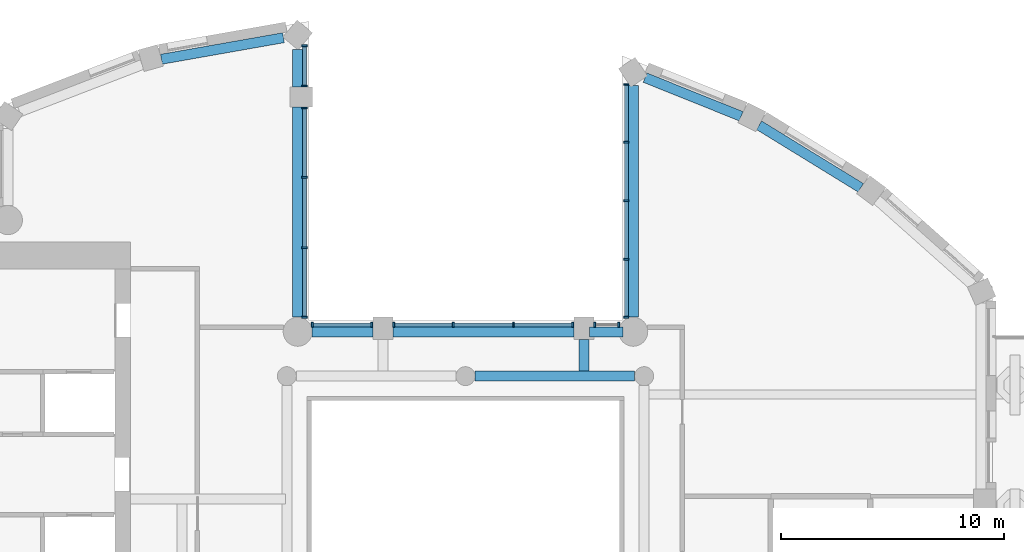
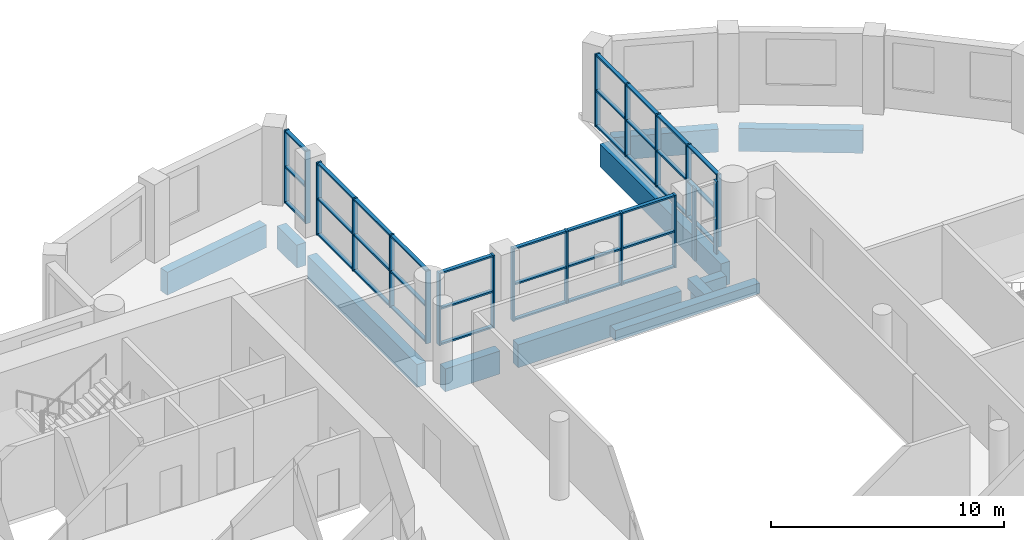
# One storey, part 2 of 14: 55 members, 11 beams, 6 elements without a shape of their own.
"""IFC4 building model written with IfcOpenShell, lengths in metres."""

from ifc_helpers import new_model, si_unit, direction, frame, origin, origin_2d, place, context, subcontext, project, spatial, rectangle, extrude, material, material_profile, profile_set, type_object, element, aggregate, save


model = new_model("IFC4")

# Units and contexts
model_context = context("Model", 3, precision=1e-05, world=origin(), true_north=direction((0.0, 1.0)))
body_context = subcontext(model_context, "Body", "Model", "MODEL_VIEW")
ifc_project = project(units=[si_unit("LENGTHUNIT", "METRE"), si_unit("AREAUNIT", "SQUARE_METRE"), si_unit("VOLUMEUNIT", "CUBIC_METRE"), si_unit("PLANEANGLEUNIT", "RADIAN"), si_unit("MASSUNIT", "GRAM", prefix="KILO")], contexts=[model_context])

# Site, building, storey
site_placement = place(None, origin())
site = spatial("IfcSite", under=ifc_project, at=site_placement, CompositionType="ELEMENT")
building_placement = place(site_placement, origin())
building = spatial("IfcBuilding", under=site, at=building_placement, Name="Cypress Arch Tower", CompositionType="ELEMENT")
storey_placement = place(building_placement, frame((0.0, 0.0, 268.0)))
storey = spatial("IfcBuildingStorey", under=building, at=storey_placement, Name="L60", CompositionType="ELEMENT", Elevation=268.0)

# Beams
ifc_material_1 = material(Name="Concrete C50/60", Category="concrete")
ifc_material_profile_1 = material_profile(ifc_material_1, rectangle(XDim=0.449951171875, YDim=0.550048828125, at=origin_2d()), Name="RC 450x550")
ifc_profile_set_1 = profile_set([ifc_material_profile_1], Name="Concrete C50/60")
beam_type_1 = type_object("IfcBeamType", Name="Floor beam RC 450x550 Concrete C50/60", PredefinedType="BEAM", material=ifc_profile_set_1)
beam_1_placement = place(storey_placement, frame((1.425048828125, 10.0, -0.574951171875), z_axis=(1.0, 0.0, 0.0), x_axis=(0.0, 1.0, 0.0)))
element("IfcBeam", 1, at=beam_1_placement, inside=storey, type_object=beam_type_1, Name="Floor beam L60 RB008", PredefinedType="BEAM", context=body_context, shape_type="SweptSolid", body=[
    extrude(rectangle(XDim=0.449951171875, YDim=0.550048828125, at=origin_2d()), origin(), (0.0, 0.0, 1.0), 7.14990234375),
])
beam_2_placement = place(storey_placement, frame((6.300048828125, 10.22509765625, -0.574951171875), z_axis=(0.0, 1.0, 0.0), x_axis=(-1.0, 0.0, 0.0)))
element("IfcBeam", 2, at=beam_2_placement, inside=storey, type_object=beam_type_1, Name="Floor beam L60 FB013", PredefinedType="BEAM", context=body_context, shape_type="SweptSolid", body=[
    extrude(rectangle(XDim=0.449951171875, YDim=0.550048828125, at=origin_2d()), origin(), (0.0, 0.0, 1.0), 1.4248046875),
])

# Curtain wall, members
ifc_material_2 = material(Name="Anodised aluminium, bronze finish, clear laminated double glazing", Category="aluminium")
curtain_wall_type = type_object("IfcCurtainWallType", Name="Curtain wall CW7 slot glazing", PredefinedType="NOTDEFINED", material=ifc_material_2)
curtain_wall_1_placement = place(storey_placement, origin())
curtain_wall_1 = element("IfcCurtainWall", 3, at=curtain_wall_1_placement, inside=storey, type_object=curtain_wall_type, Name="Curtain wall L60 slot C00.0", PredefinedType="NOTDEFINED")
ifc_material_3 = material(Name="Anodised aluminium, bronze finish", Category="aluminium")
ifc_material_profile_2 = material_profile(ifc_material_3, rectangle(XDim=0.239990234375, YDim=0.0849609375, at=origin_2d()), Name="Mullion 85x240")
ifc_profile_set_2 = profile_set([ifc_material_profile_2], Name="Anodised aluminium, bronze finish")
member_type_1 = type_object("IfcMemberType", Name="Mullion CW7 85x240", PredefinedType="MULLION", material=ifc_profile_set_2)
member_1_placement = place(storey_placement, frame((8.199951171875, 23.060302734375, 0.0), z_axis=(0.0, 0.0, 1.0), x_axis=(1.0, 0.0, 0.0)))
member_1 = element("IfcMember", 4, at=member_1_placement, type_object=member_type_1, Name="CW7 mullion 1", PredefinedType="MULLION", context=body_context, shape_type="SweptSolid", body=[
    extrude(rectangle(XDim=0.239990234375, YDim=0.0849609375, at=origin_2d()), origin(), (0.0, 0.0, 1.0), 3.800048828125),
])
member_2_placement = place(storey_placement, frame((8.199951171875, 20.477294921875, 0.0), z_axis=(0.0, 0.0, 1.0), x_axis=(1.0, 0.0, 0.0)))
member_2 = element("IfcMember", 5, at=member_2_placement, type_object=member_type_1, Name="CW7 mullion 2", PredefinedType="MULLION", context=body_context, shape_type="SweptSolid", body=[
    extrude(rectangle(XDim=0.239990234375, YDim=0.0849609375, at=origin_2d()), origin(), (0.0, 0.0, 1.0), 3.800048828125),
])
member_3_placement = place(storey_placement, frame((8.199951171875, 17.85205078125, 0.0), z_axis=(0.0, 0.0, 1.0), x_axis=(1.0, 0.0, 0.0)))
member_3 = element("IfcMember", 6, at=member_3_placement, type_object=member_type_1, Name="CW7 mullion 3", PredefinedType="MULLION", context=body_context, shape_type="SweptSolid", body=[
    extrude(rectangle(XDim=0.239990234375, YDim=0.0849609375, at=origin_2d()), origin(), (0.0, 0.0, 1.0), 3.800048828125),
])
member_4_placement = place(storey_placement, frame((8.199951171875, 15.226806640625, 0.0), z_axis=(0.0, 0.0, 1.0), x_axis=(1.0, 0.0, 0.0)))
member_4 = element("IfcMember", 7, at=member_4_placement, type_object=member_type_1, Name="CW7 mullion 4", PredefinedType="MULLION", context=body_context, shape_type="SweptSolid", body=[
    extrude(rectangle(XDim=0.239990234375, YDim=0.0849609375, at=origin_2d()), origin(), (0.0, 0.0, 1.0), 3.800048828125),
])
member_5_placement = place(storey_placement, frame((8.199951171875, 12.64404296875, 0.0), z_axis=(0.0, 0.0, 1.0), x_axis=(1.0, 0.0, 0.0)))
member_5 = element("IfcMember", 8, at=member_5_placement, type_object=member_type_1, Name="CW7 mullion 5", PredefinedType="MULLION", context=body_context, shape_type="SweptSolid", body=[
    extrude(rectangle(XDim=0.239990234375, YDim=0.0849609375, at=origin_2d()), origin(), (0.0, 0.0, 1.0), 3.800048828125),
])

curtain_wall_2_placement = place(storey_placement, origin())
curtain_wall_2 = element("IfcCurtainWall", 9, at=curtain_wall_2_placement, inside=storey, type_object=curtain_wall_type, Name="Curtain wall L60 slot C01.0", PredefinedType="NOTDEFINED")
member_6_placement = place(storey_placement, frame((7.85595703125, 12.300048828125, 0.0), z_axis=(0.0, 0.0, 1.0), x_axis=(0.0, -1.0, 0.0)))
member_6 = element("IfcMember", 10, at=member_6_placement, type_object=member_type_1, Name="CW7 mullion 1", PredefinedType="MULLION", context=body_context, shape_type="SweptSolid", body=[
    extrude(rectangle(XDim=0.239990234375, YDim=0.0849609375, at=origin_2d()), origin(), (0.0, 0.0, 1.0), 3.800048828125),
])
member_7_placement = place(storey_placement, frame((6.79248046875, 12.300048828125, 0.0), z_axis=(0.0, 0.0, 1.0), x_axis=(0.0, -1.0, 0.0)))
member_7 = element("IfcMember", 11, at=member_7_placement, type_object=member_type_1, Name="CW7 mullion 2", PredefinedType="MULLION", context=body_context, shape_type="SweptSolid", body=[
    extrude(rectangle(XDim=0.239990234375, YDim=0.0849609375, at=origin_2d()), origin(), (0.0, 0.0, 1.0), 3.800048828125),
])
aggregate(curtain_wall_2, [member_6, member_7])

curtain_wall_3_placement = place(storey_placement, origin())
curtain_wall_3 = element("IfcCurtainWall", 12, at=curtain_wall_3_placement, inside=storey, type_object=curtain_wall_type, Name="Curtain wall L60 slot C01.1", PredefinedType="NOTDEFINED")
member_8_placement = place(storey_placement, frame((5.8076171875, 12.300048828125, 0.0), z_axis=(0.0, 0.0, 1.0), x_axis=(0.0, -1.0, 0.0)))
member_8 = element("IfcMember", 13, at=member_8_placement, type_object=member_type_1, Name="CW7 mullion 1", PredefinedType="MULLION", context=body_context, shape_type="SweptSolid", body=[
    extrude(rectangle(XDim=0.239990234375, YDim=0.0849609375, at=origin_2d()), origin(), (0.0, 0.0, 1.0), 3.800048828125),
])
member_9_placement = place(storey_placement, frame((3.14990234375, 12.300048828125, 0.0), z_axis=(0.0, 0.0, 1.0), x_axis=(0.0, -1.0, 0.0)))
member_9 = element("IfcMember", 14, at=member_9_placement, type_object=member_type_1, Name="CW7 mullion 2", PredefinedType="MULLION", context=body_context, shape_type="SweptSolid", body=[
    extrude(rectangle(XDim=0.239990234375, YDim=0.0849609375, at=origin_2d()), origin(), (0.0, 0.0, 1.0), 3.800048828125),
])
member_10_placement = place(storey_placement, frame((0.449951171875, 12.300048828125, 0.0), z_axis=(0.0, 0.0, 1.0), x_axis=(0.0, -1.0, 0.0)))
member_10 = element("IfcMember", 15, at=member_10_placement, type_object=member_type_1, Name="CW7 mullion 3", PredefinedType="MULLION", context=body_context, shape_type="SweptSolid", body=[
    extrude(rectangle(XDim=0.239990234375, YDim=0.0849609375, at=origin_2d()), origin(), (0.0, 0.0, 1.0), 3.800048828125),
])
member_11_placement = place(storey_placement, frame((-2.20751953125, 12.300048828125, 0.0), z_axis=(0.0, 0.0, 1.0), x_axis=(0.0, -1.0, 0.0)))
member_11 = element("IfcMember", 16, at=member_11_placement, type_object=member_type_1, Name="CW7 mullion 4", PredefinedType="MULLION", context=body_context, shape_type="SweptSolid", body=[
    extrude(rectangle(XDim=0.239990234375, YDim=0.0849609375, at=origin_2d()), origin(), (0.0, 0.0, 1.0), 3.800048828125),
])

curtain_wall_4_placement = place(storey_placement, origin())
curtain_wall_4 = element("IfcCurtainWall", 17, at=curtain_wall_4_placement, inside=storey, type_object=curtain_wall_type, Name="Curtain wall L60 slot C01.2", PredefinedType="NOTDEFINED")
member_12_placement = place(storey_placement, frame((-3.1923828125, 12.300048828125, 0.0), z_axis=(0.0, 0.0, 1.0), x_axis=(0.0, -1.0, 0.0)))
member_12 = element("IfcMember", 18, at=member_12_placement, type_object=member_type_1, Name="CW7 mullion 1", PredefinedType="MULLION", context=body_context, shape_type="SweptSolid", body=[
    extrude(rectangle(XDim=0.239990234375, YDim=0.0849609375, at=origin_2d()), origin(), (0.0, 0.0, 1.0), 3.800048828125),
])
member_13_placement = place(storey_placement, frame((-5.85595703125, 12.300048828125, 0.0), z_axis=(0.0, 0.0, 1.0), x_axis=(0.0, -1.0, 0.0)))
member_13 = element("IfcMember", 19, at=member_13_placement, type_object=member_type_1, Name="CW7 mullion 2", PredefinedType="MULLION", context=body_context, shape_type="SweptSolid", body=[
    extrude(rectangle(XDim=0.239990234375, YDim=0.0849609375, at=origin_2d()), origin(), (0.0, 0.0, 1.0), 3.800048828125),
])

curtain_wall_5_placement = place(storey_placement, origin())
curtain_wall_5 = element("IfcCurtainWall", 20, at=curtain_wall_5_placement, inside=storey, type_object=curtain_wall_type, Name="Curtain wall L60 slot C02.0", PredefinedType="NOTDEFINED")
member_14_placement = place(storey_placement, frame((-6.199951171875, 12.64404296875, 0.0), z_axis=(0.0, 0.0, 1.0), x_axis=(-1.0, 0.0, 0.0)))
member_14 = element("IfcMember", 21, at=member_14_placement, type_object=member_type_1, Name="CW7 mullion 1", PredefinedType="MULLION", context=body_context, shape_type="SweptSolid", body=[
    extrude(rectangle(XDim=0.239990234375, YDim=0.0849609375, at=origin_2d()), origin(), (0.0, 0.0, 1.0), 3.800048828125),
])
member_15_placement = place(storey_placement, frame((-6.199951171875, 15.7509765625, 0.0), z_axis=(0.0, 0.0, 1.0), x_axis=(-1.0, 0.0, 0.0)))
member_15 = element("IfcMember", 22, at=member_15_placement, type_object=member_type_1, Name="CW7 mullion 2", PredefinedType="MULLION", context=body_context, shape_type="SweptSolid", body=[
    extrude(rectangle(XDim=0.239990234375, YDim=0.0849609375, at=origin_2d()), origin(), (0.0, 0.0, 1.0), 3.800048828125),
])
member_16_placement = place(storey_placement, frame((-6.199951171875, 18.900390625, 0.0), z_axis=(0.0, 0.0, 1.0), x_axis=(-1.0, 0.0, 0.0)))
member_16 = element("IfcMember", 23, at=member_16_placement, type_object=member_type_1, Name="CW7 mullion 3", PredefinedType="MULLION", context=body_context, shape_type="SweptSolid", body=[
    extrude(rectangle(XDim=0.239990234375, YDim=0.0849609375, at=origin_2d()), origin(), (0.0, 0.0, 1.0), 3.800048828125),
])
member_17_placement = place(storey_placement, frame((-6.199951171875, 22.007568359375, 0.0), z_axis=(0.0, 0.0, 1.0), x_axis=(-1.0, 0.0, 0.0)))
member_17 = element("IfcMember", 24, at=member_17_placement, type_object=member_type_1, Name="CW7 mullion 4", PredefinedType="MULLION", context=body_context, shape_type="SweptSolid", body=[
    extrude(rectangle(XDim=0.239990234375, YDim=0.0849609375, at=origin_2d()), origin(), (0.0, 0.0, 1.0), 3.800048828125),
])

curtain_wall_6_placement = place(storey_placement, origin())
curtain_wall_6 = element("IfcCurtainWall", 25, at=curtain_wall_6_placement, inside=storey, type_object=curtain_wall_type, Name="Curtain wall L60 slot C02.1", PredefinedType="NOTDEFINED")
member_18_placement = place(storey_placement, frame((-6.199951171875, 22.992431640625, 0.0), z_axis=(0.0, 0.0, 1.0), x_axis=(-1.0, 0.0, 0.0)))
member_18 = element("IfcMember", 26, at=member_18_placement, type_object=member_type_1, Name="CW7 mullion 1", PredefinedType="MULLION", context=body_context, shape_type="SweptSolid", body=[
    extrude(rectangle(XDim=0.239990234375, YDim=0.0849609375, at=origin_2d()), origin(), (0.0, 0.0, 1.0), 3.800048828125),
])
member_19_placement = place(storey_placement, frame((-6.199951171875, 24.789794921875, 0.0), z_axis=(0.0, 0.0, 1.0), x_axis=(-1.0, 0.0, 0.0)))
member_19 = element("IfcMember", 27, at=member_19_placement, type_object=member_type_1, Name="CW7 mullion 2", PredefinedType="MULLION", context=body_context, shape_type="SweptSolid", body=[
    extrude(rectangle(XDim=0.239990234375, YDim=0.0849609375, at=origin_2d()), origin(), (0.0, 0.0, 1.0), 3.800048828125),
])

# Beams
ifc_material_4 = material(Name="Concrete C50/60", Category="concrete")
ifc_material_profile_3 = material_profile(ifc_material_4, rectangle(XDim=0.449951171875, YDim=1.199951171875, at=origin_2d()), Name="RC 450x1200")
ifc_profile_set_3 = profile_set([ifc_material_profile_3], Name="Concrete C50/60")
beam_type_2 = type_object("IfcBeamType", Name="Spandrel beam RC 450x1200 Concrete C50/60", PredefinedType="SPANDREL", material=ifc_profile_set_3)
beam_3_placement = place(storey_placement, frame((8.52490234375, 23.017578125, -1.550048828125), z_axis=(0.0, -1.0, 0.0), x_axis=(1.0, 0.0, 0.0)))
element("IfcBeam", 28, at=beam_3_placement, inside=storey, type_object=beam_type_2, Name="Spandrel beam L60 BC00-0", PredefinedType="SPANDREL", context=body_context, shape_type="SweptSolid", body=[
    extrude(rectangle(XDim=0.449951171875, YDim=1.199951171875, at=origin_2d()), origin(), (0.0, 0.0, 1.0), 10.380126953125),
])
beam_4_placement = place(storey_placement, frame((8.05615234375, 11.97509765625, -1.550048828125), z_axis=(-1.0, 0.0, 0.0), x_axis=(0.0, -1.0, 0.0)))
element("IfcBeam", 29, at=beam_4_placement, inside=storey, type_object=beam_type_2, Name="Spandrel beam L60 BC01-0", PredefinedType="SPANDREL", context=body_context, shape_type="SweptSolid", body=[
    extrude(rectangle(XDim=0.449951171875, YDim=1.199951171875, at=origin_2d()), origin(), (0.0, 0.0, 1.0), 1.5),
])
beam_5_placement = place(storey_placement, frame((5.85009765625, 11.97509765625, -1.550048828125), z_axis=(-1.0, 0.0, 0.0), x_axis=(0.0, -1.0, 0.0)))
element("IfcBeam", 30, at=beam_5_placement, inside=storey, type_object=beam_type_2, Name="Spandrel beam L60 BC01-1", PredefinedType="SPANDREL", context=body_context, shape_type="SweptSolid", body=[
    extrude(rectangle(XDim=0.449951171875, YDim=1.199951171875, at=origin_2d()), origin(), (0.0, 0.0, 1.0), 8.10009765625),
])
beam_6_placement = place(storey_placement, frame((-3.14990234375, 11.97509765625, -1.550048828125), z_axis=(-1.0, 0.0, 0.0), x_axis=(0.0, -1.0, 0.0)))
element("IfcBeam", 31, at=beam_6_placement, inside=storey, type_object=beam_type_2, Name="Spandrel beam L60 BC01-2", PredefinedType="SPANDREL", context=body_context, shape_type="SweptSolid", body=[
    extrude(rectangle(XDim=0.449951171875, YDim=1.199951171875, at=origin_2d()), origin(), (0.0, 0.0, 1.0), 2.712646484375),
])
beam_7_placement = place(storey_placement, frame((-6.52490234375, 12.637451171875, -1.550048828125), z_axis=(0.0, 1.0, 0.0), x_axis=(-1.0, 0.0, 0.0)))
element("IfcBeam", 32, at=beam_7_placement, inside=storey, type_object=beam_type_2, Name="Spandrel beam L60 BC02-0", PredefinedType="SPANDREL", context=body_context, shape_type="SweptSolid", body=[
    extrude(rectangle(XDim=0.449951171875, YDim=1.199951171875, at=origin_2d()), origin(), (0.0, 0.0, 1.0), 9.41259765625),
])
beam_8_placement = place(storey_placement, frame((-6.52490234375, 22.949951171875, -1.550048828125), z_axis=(0.0, 1.0, 0.0), x_axis=(-1.0, 0.0, 0.0)))
element("IfcBeam", 33, at=beam_8_placement, inside=storey, type_object=beam_type_2, Name="Spandrel beam L60 BC02-1", PredefinedType="SPANDREL", context=body_context, shape_type="SweptSolid", body=[
    extrude(rectangle(XDim=0.449951171875, YDim=1.199951171875, at=origin_2d()), origin(), (0.0, 0.0, 1.0), 1.6796875),
])
beam_9_placement = place(storey_placement, frame((-7.14990234375, 25.154052734375, -1.550048828125), z_axis=(-0.984800388539, -0.173689938494, 0.0), x_axis=(0.173689938494, -0.984800388539, 0.0)))
element("IfcBeam", 34, at=beam_9_placement, inside=storey, type_object=beam_type_2, Name="Spandrel beam L60 BC03-0", PredefinedType="SPANDREL", context=body_context, shape_type="SweptSolid", body=[
    extrude(rectangle(XDim=0.449951171875, YDim=1.199951171875, at=origin_2d()), origin(), (0.0, 0.0, 1.0), 5.5478515625),
])
beam_10_placement = place(storey_placement, frame((18.700927734375, 18.43359375, -1.550048828125), z_axis=(-0.851880940975, 0.523735488966, 0.0), x_axis=(-0.523735488966, -0.851880940975, 0.0)))
element("IfcBeam", 35, at=beam_10_placement, inside=storey, type_object=beam_type_2, Name="Spandrel beam L60 BC19-0", PredefinedType="SPANDREL", context=body_context, shape_type="SweptSolid", body=[
    extrude(rectangle(XDim=0.449951171875, YDim=1.199951171875, at=origin_2d()), origin(), (0.0, 0.0, 1.0), 5.344970703125),
])
beam_11_placement = place(storey_placement, frame((13.343994140625, 21.6376953125, -1.550048828125), z_axis=(-0.92793836678, 0.372733668263, 0.0), x_axis=(-0.372733668263, -0.92793836678, 0.0)))
element("IfcBeam", 36, at=beam_11_placement, inside=storey, type_object=beam_type_2, Name="Spandrel beam L60 BC20-0", PredefinedType="SPANDREL", context=body_context, shape_type="SweptSolid", body=[
    extrude(rectangle(XDim=0.449951171875, YDim=1.199951171875, at=origin_2d()), origin(), (0.0, 0.0, 1.0), 4.637451171875),
])

# Member
ifc_material_5 = material(Name="Anodised aluminium, bronze finish", Category="aluminium")
ifc_material_profile_4 = material_profile(ifc_material_5, rectangle(XDim=0.179931640625, YDim=0.0849609375, at=origin_2d()), Name="Transom 85x180")
ifc_profile_set_4 = profile_set([ifc_material_profile_4], Name="Anodised aluminium, bronze finish")
member_type_2 = type_object("IfcMemberType", Name="Transom CW7 85x180", PredefinedType="USERDEFINED", material=ifc_profile_set_4)
member_20_placement = place(storey_placement, frame((8.199951171875, 23.017578125, 0.04248046875), z_axis=(0.0, -1.0, 0.0), x_axis=(1.0, 0.0, 0.0)))
member_20 = element("IfcMember", 37, at=member_20_placement, type_object=member_type_2, Name="CW7 transom 1.1", ObjectType="TRANSOM", PredefinedType="USERDEFINED", context=body_context, shape_type="SweptSolid", body=[
    extrude(rectangle(XDim=0.179931640625, YDim=0.0849609375, at=origin_2d()), origin(), (0.0, 0.0, 1.0), 2.497802734375),
])

member_21_placement = place(storey_placement, frame((8.199951171875, 23.017578125, 1.89990234375), z_axis=(0.0, -1.0, 0.0), x_axis=(1.0, 0.0, 0.0)))
member_21 = element("IfcMember", 38, at=member_21_placement, type_object=member_type_2, Name="CW7 transom 1.2", ObjectType="TRANSOM", PredefinedType="USERDEFINED", context=body_context, shape_type="SweptSolid", body=[
    extrude(rectangle(XDim=0.179931640625, YDim=0.0849609375, at=origin_2d()), origin(), (0.0, 0.0, 1.0), 2.497802734375),
])

member_22_placement = place(storey_placement, frame((8.199951171875, 23.017578125, 3.757568359375), z_axis=(0.0, -1.0, 0.0), x_axis=(1.0, 0.0, 0.0)))
member_22 = element("IfcMember", 39, at=member_22_placement, type_object=member_type_2, Name="CW7 transom 1.3", ObjectType="TRANSOM", PredefinedType="USERDEFINED", context=body_context, shape_type="SweptSolid", body=[
    extrude(rectangle(XDim=0.179931640625, YDim=0.0849609375, at=origin_2d()), origin(), (0.0, 0.0, 1.0), 2.497802734375),
])

member_23_placement = place(storey_placement, frame((8.199951171875, 20.434814453125, 0.04248046875), z_axis=(0.0, -1.0, 0.0), x_axis=(1.0, 0.0, 0.0)))
member_23 = element("IfcMember", 40, at=member_23_placement, type_object=member_type_2, Name="CW7 transom 2.1", ObjectType="TRANSOM", PredefinedType="USERDEFINED", context=body_context, shape_type="SweptSolid", body=[
    extrude(rectangle(XDim=0.179931640625, YDim=0.0849609375, at=origin_2d()), origin(), (0.0, 0.0, 1.0), 2.540283203125),
])

member_24_placement = place(storey_placement, frame((8.199951171875, 20.434814453125, 1.89990234375), z_axis=(0.0, -1.0, 0.0), x_axis=(1.0, 0.0, 0.0)))
member_24 = element("IfcMember", 41, at=member_24_placement, type_object=member_type_2, Name="CW7 transom 2.2", ObjectType="TRANSOM", PredefinedType="USERDEFINED", context=body_context, shape_type="SweptSolid", body=[
    extrude(rectangle(XDim=0.179931640625, YDim=0.0849609375, at=origin_2d()), origin(), (0.0, 0.0, 1.0), 2.540283203125),
])

member_25_placement = place(storey_placement, frame((8.199951171875, 20.434814453125, 3.757568359375), z_axis=(0.0, -1.0, 0.0), x_axis=(1.0, 0.0, 0.0)))
member_25 = element("IfcMember", 42, at=member_25_placement, type_object=member_type_2, Name="CW7 transom 2.3", ObjectType="TRANSOM", PredefinedType="USERDEFINED", context=body_context, shape_type="SweptSolid", body=[
    extrude(rectangle(XDim=0.179931640625, YDim=0.0849609375, at=origin_2d()), origin(), (0.0, 0.0, 1.0), 2.540283203125),
])

member_26_placement = place(storey_placement, frame((8.199951171875, 17.8095703125, 0.04248046875), z_axis=(0.0, -1.0, 0.0), x_axis=(1.0, 0.0, 0.0)))
member_26 = element("IfcMember", 43, at=member_26_placement, type_object=member_type_2, Name="CW7 transom 3.1", ObjectType="TRANSOM", PredefinedType="USERDEFINED", context=body_context, shape_type="SweptSolid", body=[
    extrude(rectangle(XDim=0.179931640625, YDim=0.0849609375, at=origin_2d()), origin(), (0.0, 0.0, 1.0), 2.540283203125),
])

member_27_placement = place(storey_placement, frame((8.199951171875, 17.8095703125, 1.89990234375), z_axis=(0.0, -1.0, 0.0), x_axis=(1.0, 0.0, 0.0)))
member_27 = element("IfcMember", 44, at=member_27_placement, type_object=member_type_2, Name="CW7 transom 3.2", ObjectType="TRANSOM", PredefinedType="USERDEFINED", context=body_context, shape_type="SweptSolid", body=[
    extrude(rectangle(XDim=0.179931640625, YDim=0.0849609375, at=origin_2d()), origin(), (0.0, 0.0, 1.0), 2.540283203125),
])

member_28_placement = place(storey_placement, frame((8.199951171875, 17.8095703125, 3.757568359375), z_axis=(0.0, -1.0, 0.0), x_axis=(1.0, 0.0, 0.0)))
member_28 = element("IfcMember", 45, at=member_28_placement, type_object=member_type_2, Name="CW7 transom 3.3", ObjectType="TRANSOM", PredefinedType="USERDEFINED", context=body_context, shape_type="SweptSolid", body=[
    extrude(rectangle(XDim=0.179931640625, YDim=0.0849609375, at=origin_2d()), origin(), (0.0, 0.0, 1.0), 2.540283203125),
])

member_29_placement = place(storey_placement, frame((8.199951171875, 15.184326171875, 0.04248046875), z_axis=(0.0, -1.0, 0.0), x_axis=(1.0, 0.0, 0.0)))
member_29 = element("IfcMember", 46, at=member_29_placement, type_object=member_type_2, Name="CW7 transom 4.1", ObjectType="TRANSOM", PredefinedType="USERDEFINED", context=body_context, shape_type="SweptSolid", body=[
    extrude(rectangle(XDim=0.179931640625, YDim=0.0849609375, at=origin_2d()), origin(), (0.0, 0.0, 1.0), 2.497802734375),
])

member_30_placement = place(storey_placement, frame((8.199951171875, 15.184326171875, 1.89990234375), z_axis=(0.0, -1.0, 0.0), x_axis=(1.0, 0.0, 0.0)))
member_30 = element("IfcMember", 47, at=member_30_placement, type_object=member_type_2, Name="CW7 transom 4.2", ObjectType="TRANSOM", PredefinedType="USERDEFINED", context=body_context, shape_type="SweptSolid", body=[
    extrude(rectangle(XDim=0.179931640625, YDim=0.0849609375, at=origin_2d()), origin(), (0.0, 0.0, 1.0), 2.497802734375),
])

member_31_placement = place(storey_placement, frame((8.199951171875, 15.184326171875, 3.757568359375), z_axis=(0.0, -1.0, 0.0), x_axis=(1.0, 0.0, 0.0)))
member_31 = element("IfcMember", 48, at=member_31_placement, type_object=member_type_2, Name="CW7 transom 4.3", ObjectType="TRANSOM", PredefinedType="USERDEFINED", context=body_context, shape_type="SweptSolid", body=[
    extrude(rectangle(XDim=0.179931640625, YDim=0.0849609375, at=origin_2d()), origin(), (0.0, 0.0, 1.0), 2.497802734375),
])

aggregate(curtain_wall_1, [member_1, member_2, member_3, member_4, member_5, member_20, member_21, member_22, member_23, member_24, member_25, member_26, member_27, member_28, member_29, member_30, member_31])

member_32_placement = place(storey_placement, frame((5.764892578125, 12.300048828125, 0.04248046875), z_axis=(-1.0, 0.0, 0.0), x_axis=(0.0, -1.0, 0.0)))
member_32 = element("IfcMember", 49, at=member_32_placement, type_object=member_type_2, Name="CW7 transom 1.1", ObjectType="TRANSOM", PredefinedType="USERDEFINED", context=body_context, shape_type="SweptSolid", body=[
    extrude(rectangle(XDim=0.179931640625, YDim=0.0849609375, at=origin_2d()), origin(), (0.0, 0.0, 1.0), 2.572509765625),
])

member_33_placement = place(storey_placement, frame((5.764892578125, 12.300048828125, 1.89990234375), z_axis=(-1.0, 0.0, 0.0), x_axis=(0.0, -1.0, 0.0)))
member_33 = element("IfcMember", 50, at=member_33_placement, type_object=member_type_2, Name="CW7 transom 1.2", ObjectType="TRANSOM", PredefinedType="USERDEFINED", context=body_context, shape_type="SweptSolid", body=[
    extrude(rectangle(XDim=0.179931640625, YDim=0.0849609375, at=origin_2d()), origin(), (0.0, 0.0, 1.0), 2.572509765625),
])

member_34_placement = place(storey_placement, frame((5.764892578125, 12.300048828125, 3.757568359375), z_axis=(-1.0, 0.0, 0.0), x_axis=(0.0, -1.0, 0.0)))
member_34 = element("IfcMember", 51, at=member_34_placement, type_object=member_type_2, Name="CW7 transom 1.3", ObjectType="TRANSOM", PredefinedType="USERDEFINED", context=body_context, shape_type="SweptSolid", body=[
    extrude(rectangle(XDim=0.179931640625, YDim=0.0849609375, at=origin_2d()), origin(), (0.0, 0.0, 1.0), 2.572509765625),
])

member_35_placement = place(storey_placement, frame((3.107421875, 12.300048828125, 0.04248046875), z_axis=(-1.0, 0.0, 0.0), x_axis=(0.0, -1.0, 0.0)))
member_35 = element("IfcMember", 52, at=member_35_placement, type_object=member_type_2, Name="CW7 transom 2.1", ObjectType="TRANSOM", PredefinedType="USERDEFINED", context=body_context, shape_type="SweptSolid", body=[
    extrude(rectangle(XDim=0.179931640625, YDim=0.0849609375, at=origin_2d()), origin(), (0.0, 0.0, 1.0), 2.614990234375),
])

member_36_placement = place(storey_placement, frame((3.107421875, 12.300048828125, 1.89990234375), z_axis=(-1.0, 0.0, 0.0), x_axis=(0.0, -1.0, 0.0)))
member_36 = element("IfcMember", 53, at=member_36_placement, type_object=member_type_2, Name="CW7 transom 2.2", ObjectType="TRANSOM", PredefinedType="USERDEFINED", context=body_context, shape_type="SweptSolid", body=[
    extrude(rectangle(XDim=0.179931640625, YDim=0.0849609375, at=origin_2d()), origin(), (0.0, 0.0, 1.0), 2.614990234375),
])

member_37_placement = place(storey_placement, frame((3.107421875, 12.300048828125, 3.757568359375), z_axis=(-1.0, 0.0, 0.0), x_axis=(0.0, -1.0, 0.0)))
member_37 = element("IfcMember", 54, at=member_37_placement, type_object=member_type_2, Name="CW7 transom 2.3", ObjectType="TRANSOM", PredefinedType="USERDEFINED", context=body_context, shape_type="SweptSolid", body=[
    extrude(rectangle(XDim=0.179931640625, YDim=0.0849609375, at=origin_2d()), origin(), (0.0, 0.0, 1.0), 2.614990234375),
])

member_38_placement = place(storey_placement, frame((0.407470703125, 12.300048828125, 0.04248046875), z_axis=(-1.0, 0.0, 0.0), x_axis=(0.0, -1.0, 0.0)))
member_38 = element("IfcMember", 55, at=member_38_placement, type_object=member_type_2, Name="CW7 transom 3.1", ObjectType="TRANSOM", PredefinedType="USERDEFINED", context=body_context, shape_type="SweptSolid", body=[
    extrude(rectangle(XDim=0.179931640625, YDim=0.0849609375, at=origin_2d()), origin(), (0.0, 0.0, 1.0), 2.572509765625),
])

member_39_placement = place(storey_placement, frame((0.407470703125, 12.300048828125, 1.89990234375), z_axis=(-1.0, 0.0, 0.0), x_axis=(0.0, -1.0, 0.0)))
member_39 = element("IfcMember", 56, at=member_39_placement, type_object=member_type_2, Name="CW7 transom 3.2", ObjectType="TRANSOM", PredefinedType="USERDEFINED", context=body_context, shape_type="SweptSolid", body=[
    extrude(rectangle(XDim=0.179931640625, YDim=0.0849609375, at=origin_2d()), origin(), (0.0, 0.0, 1.0), 2.572509765625),
])

member_40_placement = place(storey_placement, frame((0.407470703125, 12.300048828125, 3.757568359375), z_axis=(-1.0, 0.0, 0.0), x_axis=(0.0, -1.0, 0.0)))
member_40 = element("IfcMember", 57, at=member_40_placement, type_object=member_type_2, Name="CW7 transom 3.3", ObjectType="TRANSOM", PredefinedType="USERDEFINED", context=body_context, shape_type="SweptSolid", body=[
    extrude(rectangle(XDim=0.179931640625, YDim=0.0849609375, at=origin_2d()), origin(), (0.0, 0.0, 1.0), 2.572509765625),
])

aggregate(curtain_wall_3, [member_8, member_9, member_10, member_11, member_32, member_33, member_34, member_35, member_36, member_37, member_38, member_39, member_40])

member_41_placement = place(storey_placement, frame((-3.235107421875, 12.300048828125, 0.04248046875), z_axis=(-1.0, 0.0, 0.0), x_axis=(0.0, -1.0, 0.0)))
member_41 = element("IfcMember", 58, at=member_41_placement, type_object=member_type_2, Name="CW7 transom 1.1", ObjectType="TRANSOM", PredefinedType="USERDEFINED", context=body_context, shape_type="SweptSolid", body=[
    extrude(rectangle(XDim=0.179931640625, YDim=0.0849609375, at=origin_2d()), origin(), (0.0, 0.0, 1.0), 2.578369140625),
])

member_42_placement = place(storey_placement, frame((-3.235107421875, 12.300048828125, 1.89990234375), z_axis=(-1.0, 0.0, 0.0), x_axis=(0.0, -1.0, 0.0)))
member_42 = element("IfcMember", 59, at=member_42_placement, type_object=member_type_2, Name="CW7 transom 1.2", ObjectType="TRANSOM", PredefinedType="USERDEFINED", context=body_context, shape_type="SweptSolid", body=[
    extrude(rectangle(XDim=0.179931640625, YDim=0.0849609375, at=origin_2d()), origin(), (0.0, 0.0, 1.0), 2.578369140625),
])

member_43_placement = place(storey_placement, frame((-3.235107421875, 12.300048828125, 3.757568359375), z_axis=(-1.0, 0.0, 0.0), x_axis=(0.0, -1.0, 0.0)))
member_43 = element("IfcMember", 60, at=member_43_placement, type_object=member_type_2, Name="CW7 transom 1.3", ObjectType="TRANSOM", PredefinedType="USERDEFINED", context=body_context, shape_type="SweptSolid", body=[
    extrude(rectangle(XDim=0.179931640625, YDim=0.0849609375, at=origin_2d()), origin(), (0.0, 0.0, 1.0), 2.578369140625),
])

aggregate(curtain_wall_4, [member_12, member_13, member_41, member_42, member_43])

member_44_placement = place(storey_placement, frame((-6.199951171875, 12.6865234375, 0.04248046875), z_axis=(0.0, 1.0, 0.0), x_axis=(-1.0, 0.0, 0.0)))
member_44 = element("IfcMember", 61, at=member_44_placement, type_object=member_type_2, Name="CW7 transom 1.1", ObjectType="TRANSOM", PredefinedType="USERDEFINED", context=body_context, shape_type="SweptSolid", body=[
    extrude(rectangle(XDim=0.179931640625, YDim=0.0849609375, at=origin_2d()), origin(), (0.0, 0.0, 1.0), 3.02197265625),
])

member_45_placement = place(storey_placement, frame((-6.199951171875, 12.6865234375, 1.89990234375), z_axis=(0.0, 1.0, 0.0), x_axis=(-1.0, 0.0, 0.0)))
member_45 = element("IfcMember", 62, at=member_45_placement, type_object=member_type_2, Name="CW7 transom 1.2", ObjectType="TRANSOM", PredefinedType="USERDEFINED", context=body_context, shape_type="SweptSolid", body=[
    extrude(rectangle(XDim=0.179931640625, YDim=0.0849609375, at=origin_2d()), origin(), (0.0, 0.0, 1.0), 3.02197265625),
])

member_46_placement = place(storey_placement, frame((-6.199951171875, 12.6865234375, 3.757568359375), z_axis=(0.0, 1.0, 0.0), x_axis=(-1.0, 0.0, 0.0)))
member_46 = element("IfcMember", 63, at=member_46_placement, type_object=member_type_2, Name="CW7 transom 1.3", ObjectType="TRANSOM", PredefinedType="USERDEFINED", context=body_context, shape_type="SweptSolid", body=[
    extrude(rectangle(XDim=0.179931640625, YDim=0.0849609375, at=origin_2d()), origin(), (0.0, 0.0, 1.0), 3.02197265625),
])

member_47_placement = place(storey_placement, frame((-6.199951171875, 15.79345703125, 0.04248046875), z_axis=(0.0, 1.0, 0.0), x_axis=(-1.0, 0.0, 0.0)))
member_47 = element("IfcMember", 64, at=member_47_placement, type_object=member_type_2, Name="CW7 transom 2.1", ObjectType="TRANSOM", PredefinedType="USERDEFINED", context=body_context, shape_type="SweptSolid", body=[
    extrude(rectangle(XDim=0.179931640625, YDim=0.0849609375, at=origin_2d()), origin(), (0.0, 0.0, 1.0), 3.064453125),
])

member_48_placement = place(storey_placement, frame((-6.199951171875, 15.79345703125, 1.89990234375), z_axis=(0.0, 1.0, 0.0), x_axis=(-1.0, 0.0, 0.0)))
member_48 = element("IfcMember", 65, at=member_48_placement, type_object=member_type_2, Name="CW7 transom 2.2", ObjectType="TRANSOM", PredefinedType="USERDEFINED", context=body_context, shape_type="SweptSolid", body=[
    extrude(rectangle(XDim=0.179931640625, YDim=0.0849609375, at=origin_2d()), origin(), (0.0, 0.0, 1.0), 3.064453125),
])

member_49_placement = place(storey_placement, frame((-6.199951171875, 15.79345703125, 3.757568359375), z_axis=(0.0, 1.0, 0.0), x_axis=(-1.0, 0.0, 0.0)))
member_49 = element("IfcMember", 66, at=member_49_placement, type_object=member_type_2, Name="CW7 transom 2.3", ObjectType="TRANSOM", PredefinedType="USERDEFINED", context=body_context, shape_type="SweptSolid", body=[
    extrude(rectangle(XDim=0.179931640625, YDim=0.0849609375, at=origin_2d()), origin(), (0.0, 0.0, 1.0), 3.064453125),
])

member_50_placement = place(storey_placement, frame((-6.199951171875, 18.943115234375, 0.04248046875), z_axis=(0.0, 1.0, 0.0), x_axis=(-1.0, 0.0, 0.0)))
member_50 = element("IfcMember", 67, at=member_50_placement, type_object=member_type_2, Name="CW7 transom 3.1", ObjectType="TRANSOM", PredefinedType="USERDEFINED", context=body_context, shape_type="SweptSolid", body=[
    extrude(rectangle(XDim=0.179931640625, YDim=0.0849609375, at=origin_2d()), origin(), (0.0, 0.0, 1.0), 3.02197265625),
])

member_51_placement = place(storey_placement, frame((-6.199951171875, 18.943115234375, 1.89990234375), z_axis=(0.0, 1.0, 0.0), x_axis=(-1.0, 0.0, 0.0)))
member_51 = element("IfcMember", 68, at=member_51_placement, type_object=member_type_2, Name="CW7 transom 3.2", ObjectType="TRANSOM", PredefinedType="USERDEFINED", context=body_context, shape_type="SweptSolid", body=[
    extrude(rectangle(XDim=0.179931640625, YDim=0.0849609375, at=origin_2d()), origin(), (0.0, 0.0, 1.0), 3.02197265625),
])

member_52_placement = place(storey_placement, frame((-6.199951171875, 18.943115234375, 3.757568359375), z_axis=(0.0, 1.0, 0.0), x_axis=(-1.0, 0.0, 0.0)))
member_52 = element("IfcMember", 69, at=member_52_placement, type_object=member_type_2, Name="CW7 transom 3.3", ObjectType="TRANSOM", PredefinedType="USERDEFINED", context=body_context, shape_type="SweptSolid", body=[
    extrude(rectangle(XDim=0.179931640625, YDim=0.0849609375, at=origin_2d()), origin(), (0.0, 0.0, 1.0), 3.02197265625),
])

aggregate(curtain_wall_5, [member_14, member_15, member_16, member_17, member_44, member_45, member_46, member_47, member_48, member_49, member_50, member_51, member_52])

member_53_placement = place(storey_placement, frame((-6.199951171875, 23.034912109375, 0.04248046875), z_axis=(0.0, 1.0, 0.0), x_axis=(-1.0, 0.0, 0.0)))
member_53 = element("IfcMember", 70, at=member_53_placement, type_object=member_type_2, Name="CW7 transom 1.1", ObjectType="TRANSOM", PredefinedType="USERDEFINED", context=body_context, shape_type="SweptSolid", body=[
    extrude(rectangle(XDim=0.179931640625, YDim=0.0849609375, at=origin_2d()), origin(), (0.0, 0.0, 1.0), 1.71240234375),
])

member_54_placement = place(storey_placement, frame((-6.199951171875, 23.034912109375, 1.89990234375), z_axis=(0.0, 1.0, 0.0), x_axis=(-1.0, 0.0, 0.0)))
member_54 = element("IfcMember", 71, at=member_54_placement, type_object=member_type_2, Name="CW7 transom 1.2", ObjectType="TRANSOM", PredefinedType="USERDEFINED", context=body_context, shape_type="SweptSolid", body=[
    extrude(rectangle(XDim=0.179931640625, YDim=0.0849609375, at=origin_2d()), origin(), (0.0, 0.0, 1.0), 1.71240234375),
])

member_55_placement = place(storey_placement, frame((-6.199951171875, 23.034912109375, 3.757568359375), z_axis=(0.0, 1.0, 0.0), x_axis=(-1.0, 0.0, 0.0)))
member_55 = element("IfcMember", 72, at=member_55_placement, type_object=member_type_2, Name="CW7 transom 1.3", ObjectType="TRANSOM", PredefinedType="USERDEFINED", context=body_context, shape_type="SweptSolid", body=[
    extrude(rectangle(XDim=0.179931640625, YDim=0.0849609375, at=origin_2d()), origin(), (0.0, 0.0, 1.0), 1.71240234375),
])

aggregate(curtain_wall_6, [member_18, member_19, member_53, member_54, member_55])

save(model, "model.ifc")
